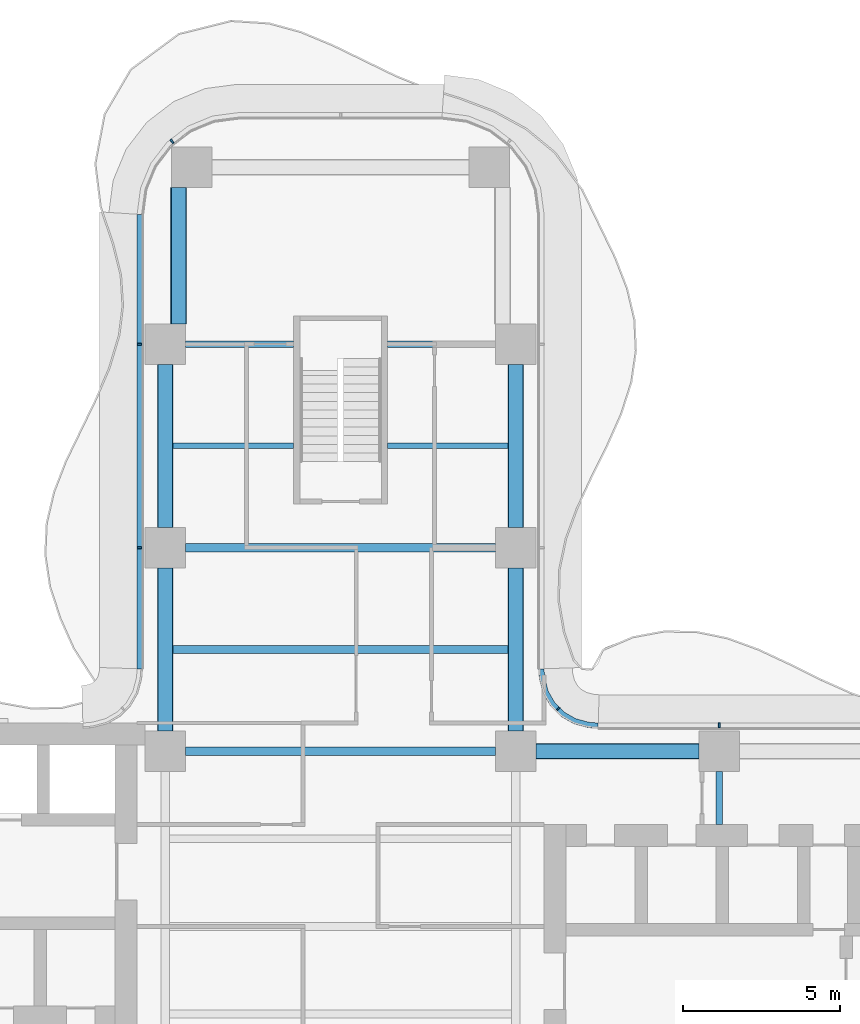
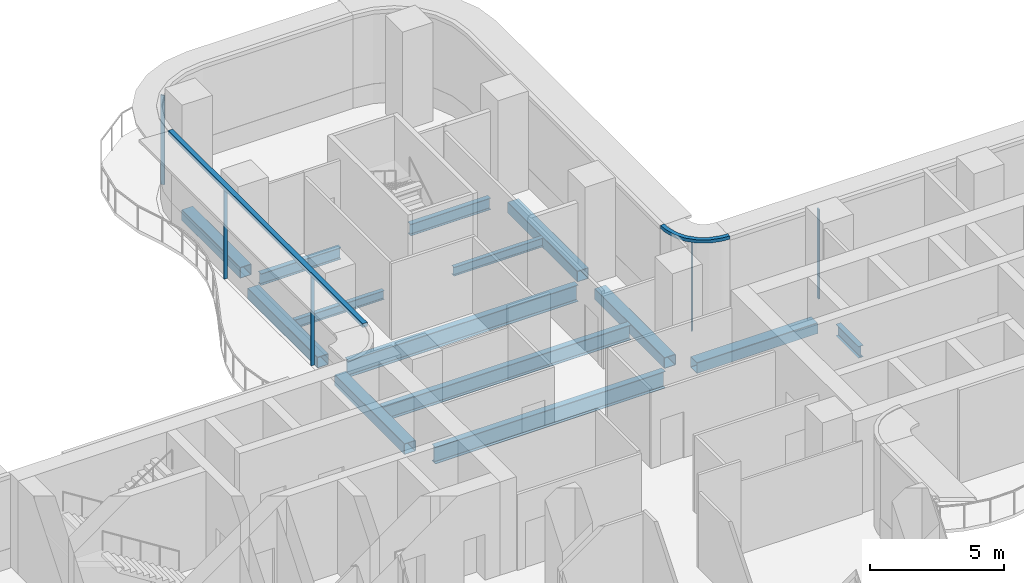
# One storey, part 9 of 21: 14 beams, 7 members, 4 elements without a shape of their own.
"""IFC4 building model written with IfcOpenShell, lengths in metres."""

from ifc_helpers import new_model, si_unit, direction, frame, origin, origin_2d, place, context, subcontext, project, spatial, polyline, rectangle, hollow_rectangle, i_section, outline, extrude, source, transform, mapped, material, layer, layer_set, material_profile, profile_set, type_object, element, aggregate, save


model = new_model("IFC4")

# Units and contexts
model_context = context("Model", 3, precision=1e-05, world=origin(), true_north=direction((0.0, 1.0)))
body_context = subcontext(model_context, "Body", "Model", "MODEL_VIEW")
ifc_project = project(units=[si_unit("LENGTHUNIT", "METRE"), si_unit("AREAUNIT", "SQUARE_METRE"), si_unit("VOLUMEUNIT", "CUBIC_METRE"), si_unit("PLANEANGLEUNIT", "RADIAN"), si_unit("MASSUNIT", "GRAM", prefix="KILO")], contexts=[model_context])

# Site, building, storey
site_placement = place(None, origin())
site = spatial("IfcSite", under=ifc_project, at=site_placement, CompositionType="ELEMENT")
building_placement = place(site_placement, origin())
building = spatial("IfcBuilding", under=site, at=building_placement, Name="Trellis Farm Tower", CompositionType="ELEMENT")
storey_placement = place(building_placement, frame((0.0, 0.0, 97.5)))
storey = spatial("IfcBuildingStorey", under=building, at=storey_placement, Name="L20", CompositionType="ELEMENT", Elevation=97.5)

# Beams
ifc_material_1 = material(Name="Steel S355", Category="steel")
ifc_material_profile_1 = material_profile(ifc_material_1, i_section(OverallWidth=0.209228515625, OverallDepth=0.533203125, WebThickness=0.010009765625, FlangeThickness=0.015625, FilletRadius=0.0126953125, at=origin_2d()), Name="UB 533x210x92")
ifc_profile_set_1 = profile_set([ifc_material_profile_1], Name="Steel S355")
beam_type_1 = type_object("IfcBeamType", Name="UB 533x210x92", PredefinedType="BEAM", material=ifc_profile_set_1)
shared_shape_1 = source(origin(), body_context, "Body", "SweptSolid", [
    extrude(i_section(OverallWidth=0.209228515625, OverallDepth=0.533203125, WebThickness=0.010009765625, FlangeThickness=0.015625, FilletRadius=0.0126953125, at=origin_2d()), origin(), (0.0, 0.0, 1.0), 3.449951171875),
])
for number, where, z_axis, x_axis, name in (
    (1, (-4.949951171875, 18.60009765625, -0.5166015625), (1.0, 0.0, 0.0), (0.0, 1.0, 0.0), "Girder"),
    (2, (1.5, 18.60009765625, -0.5166015625), (1.0, 0.0, 0.0), (0.0, 1.0, 0.0), "Girder"),
):
    element("IfcBeam", number, at=place(storey_placement, frame(where, z_axis=z_axis, x_axis=x_axis)), inside=storey, type_object=beam_type_1, Name=name, PredefinedType="BEAM", context=body_context, shape_type="MappedRepresentation", body=[
        mapped(shared_shape_1, transform((0.0, 0.0, 0.0))),
    ])
ifc_material_profile_2 = material_profile(ifc_material_1, hollow_rectangle(XDim=0.5, YDim=0.5, WallThickness=0.02001953125, InnerFilletRadius=0.02001953125, OuterFilletRadius=0.030029296875, at=origin_2d()), Name="SHS 500x500x20")
ifc_profile_set_2 = profile_set([ifc_material_profile_2], Name="Steel S355")
beam_type_2 = type_object("IfcBeamType", Name="SHS 500x500x20", PredefinedType="BEAM", material=ifc_profile_set_2)
shared_shape_2 = source(origin(), body_context, "Body", "SweptSolid", [
    extrude(hollow_rectangle(XDim=0.5, YDim=0.5, WallThickness=0.02001953125, InnerFilletRadius=0.02001953125, OuterFilletRadius=0.030029296875, at=origin_2d()), origin(), (0.0, 0.0, 1.0), 5.199951171875),
])
for number, where, z_axis, x_axis, name in (
    (3, (6.25, 5.60009765625, -0.5), (1.0, 0.0, 0.0), (0.0, 1.0, 0.0), "Girder"),
    (4, (-5.60009765625, 6.25, -0.5), (0.0, 1.0, 0.0), (-1.0, 0.0, 0.0), "Girder"),
    (5, (-5.60009765625, 12.75, -0.5), (0.0, 1.0, 0.0), (-1.0, 0.0, 0.0), "Girder"),
    (6, (5.60009765625, 6.25, -0.5), (0.0, 1.0, 0.0), (-1.0, 0.0, 0.0), "Girder"),
    (7, (5.60009765625, 12.75, -0.5), (0.0, 1.0, 0.0), (-1.0, 0.0, 0.0), "Girder"),
):
    element("IfcBeam", number, at=place(storey_placement, frame(where, z_axis=z_axis, x_axis=x_axis)), inside=storey, type_object=beam_type_2, Name=name, PredefinedType="BEAM", context=body_context, shape_type="MappedRepresentation", body=[
        mapped(shared_shape_2, transform((0.0, 0.0, 0.0))),
    ])
ifc_material_profile_3 = material_profile(ifc_material_1, i_section(OverallWidth=0.2666015625, OverallDepth=0.76220703125, WebThickness=0.014404296875, FlangeThickness=0.021484375, FilletRadius=0.0166015625, at=origin_2d()), Name="UB 762x267x173")
ifc_profile_set_3 = profile_set([ifc_material_profile_3], Name="Steel S355")
beam_type_3 = type_object("IfcBeamType", Name="UB 762x267x173", PredefinedType="BEAM", material=ifc_profile_set_3)
shared_shape_3 = source(origin(), body_context, "Body", "SweptSolid", [
    extrude(i_section(OverallWidth=0.2666015625, OverallDepth=0.76220703125, WebThickness=0.014404296875, FlangeThickness=0.021484375, FilletRadius=0.0166015625, at=origin_2d()), origin(), (0.0, 0.0, 1.0), 9.89990234375),
])
for number, where, z_axis, x_axis, name in (
    (8, (-4.949951171875, 5.60009765625, -0.631103515625), (1.0, 0.0, 0.0), (0.0, 1.0, 0.0), "Girder"),
    (9, (-4.949951171875, 12.10009765625, -0.631103515625), (1.0, 0.0, 0.0), (0.0, 1.0, 0.0), "Girder"),
):
    element("IfcBeam", number, at=place(storey_placement, frame(where, z_axis=z_axis, x_axis=x_axis)), inside=storey, type_object=beam_type_3, Name=name, PredefinedType="BEAM", context=body_context, shape_type="MappedRepresentation", body=[
        mapped(shared_shape_3, transform((0.0, 0.0, 0.0))),
    ])
shared_shape_4 = source(origin(), body_context, "Body", "SweptSolid", [
    extrude(hollow_rectangle(XDim=0.5, YDim=0.5, WallThickness=0.02001953125, InnerFilletRadius=0.02001953125, OuterFilletRadius=0.030029296875, at=origin_2d()), origin(), (0.0, 0.0, 1.0), 4.35009765625),
])
beam_1_placement = place(storey_placement, frame((-5.175048828125, 19.25, -0.5), z_axis=(0.0, 1.0, 0.0), x_axis=(-1.0, 0.0, 0.0)))
element("IfcBeam", 10, at=beam_1_placement, inside=storey, type_object=beam_type_2, Name="Girder", PredefinedType="BEAM", context=body_context, shape_type="MappedRepresentation", body=[
    mapped(shared_shape_4, transform((0.0, 0.0, 0.0))),
])
shared_shape_5 = source(origin(), body_context, "Body", "SweptSolid", [
    extrude(i_section(OverallWidth=0.209228515625, OverallDepth=0.533203125, WebThickness=0.010009765625, FlangeThickness=0.015625, FilletRadius=0.0126953125, at=origin_2d()), origin(), (0.0, 0.0, 1.0), 1.699951171875),
])
beam_2_placement = place(storey_placement, frame((12.10009765625, 3.25, -0.5166015625), z_axis=(0.0, 1.0, 0.0), x_axis=(-1.0, 0.0, 0.0)))
element("IfcBeam", 11, at=beam_2_placement, inside=storey, type_object=beam_type_1, Name="Girder", PredefinedType="BEAM", context=body_context, shape_type="MappedRepresentation", body=[
    mapped(shared_shape_5, transform((0.0, 0.0, 0.0))),
])
ifc_material_profile_4 = material_profile(ifc_material_1, i_section(OverallWidth=0.177978515625, OverallDepth=0.406494140625, WebThickness=0.0078125, FlangeThickness=0.0126953125, FilletRadius=0.01025390625, at=origin_2d()), Name="UB 406x178x60")
ifc_profile_set_4 = profile_set([ifc_material_profile_4], Name="Steel S355")
beam_type_4 = type_object("IfcBeamType", Name="UB 406x178x60 joist", PredefinedType="JOIST", material=ifc_profile_set_4)
shared_shape_6 = source(origin(), body_context, "Body", "SweptSolid", [
    extrude(i_section(OverallWidth=0.177978515625, OverallDepth=0.406494140625, WebThickness=0.0078125, FlangeThickness=0.0126953125, FilletRadius=0.01025390625, at=origin_2d()), origin(), (0.0, 0.0, 1.0), 3.85009765625),
])
for number, where, z_axis, x_axis, name in (
    (12, (-5.35009765625, 15.35009765625, -0.453125), (1.0, 0.0, 0.0), (0.0, 1.0, 0.0), "Floor beam"),
    (13, (1.5, 15.35009765625, -0.453125), (1.0, 0.0, 0.0), (0.0, 1.0, 0.0), "Floor beam"),
):
    element("IfcBeam", number, at=place(storey_placement, frame(where, z_axis=z_axis, x_axis=x_axis)), inside=storey, type_object=beam_type_4, Name=name, PredefinedType="JOIST", context=body_context, shape_type="MappedRepresentation", body=[
        mapped(shared_shape_6, transform((0.0, 0.0, 0.0))),
    ])
ifc_material_profile_5 = material_profile(ifc_material_1, i_section(OverallWidth=0.253662109375, OverallDepth=0.68359375, WebThickness=0.012451171875, FlangeThickness=0.021728515625, FilletRadius=0.01513671875, at=origin_2d()), Name="UB 686x254x140")
ifc_profile_set_5 = profile_set([ifc_material_profile_5], Name="Steel S355")
beam_type_5 = type_object("IfcBeamType", Name="UB 686x254x140 joist", PredefinedType="JOIST", material=ifc_profile_set_5)
shared_shape_7 = source(origin(), body_context, "Body", "SweptSolid", [
    extrude(i_section(OverallWidth=0.253662109375, OverallDepth=0.68359375, WebThickness=0.012451171875, FlangeThickness=0.021728515625, FilletRadius=0.01513671875, at=origin_2d()), origin(), (0.0, 0.0, 1.0), 10.7001953125),
])
beam_3_placement = place(storey_placement, frame((-5.35009765625, 8.85009765625, -0.591796875), z_axis=(1.0, 0.0, 0.0), x_axis=(0.0, 1.0, 0.0)))
element("IfcBeam", 14, at=beam_3_placement, inside=storey, type_object=beam_type_5, Name="Floor beam", PredefinedType="JOIST", context=body_context, shape_type="MappedRepresentation", body=[
    mapped(shared_shape_7, transform((0.0, 0.0, 0.0))),
])

# Curtain wall, member
ifc_material_2 = material(Name="Aluminium and glass curtain wall", Category="aluminium")
ifc_layer_1 = layer(ifc_material_2, 0.18994140625)
ifc_layer_set_1 = layer_set([ifc_layer_1], Name="RIBBON CURTAIN WALL CW1")
curtain_wall_type_1 = type_object("IfcCurtainWallType", Name="RIBBON CURTAIN WALL CW1", PredefinedType="NOTDEFINED", material=ifc_layer_set_1)
placement = place(storey_placement, origin())
curtain_wall_1 = element("IfcCurtainWall", 15, at=placement, inside=storey, type_object=curtain_wall_type_1, Name="CW1 009", PredefinedType="NOTDEFINED")
ifc_material_3 = material(Name="Aluminium extrusion 6063-T6", Category="aluminium")
ifc_material_profile_6 = material_profile(ifc_material_3, rectangle(XDim=0.06005859375, YDim=0.14990234375, at=origin_2d()), Name="MULLION 60x150")
ifc_profile_set_6 = profile_set([ifc_material_profile_6], Name="Aluminium extrusion 6063-T6")
member_type_1 = type_object("IfcMemberType", Name="CW1 MULLION 60x150", PredefinedType="MULLION", material=ifc_profile_set_6)
shared_shape_8 = source(origin(), body_context, "Body", "SweptSolid", [
    extrude(rectangle(XDim=0.06005859375, YDim=0.14990234375, at=origin_2d()), origin(), (0.0, 0.0, 1.0), 4.070068359375),
])
member_1_placement = place(storey_placement, frame((12.10009765625, 6.425048828125, 0.0), z_axis=(0.0, 0.0, 1.0), x_axis=(-1.0, 0.0, 0.0)))
member_1 = element("IfcMember", 16, at=member_1_placement, type_object=member_type_1, Name="MU1 009-02", PredefinedType="MULLION", context=body_context, shape_type="MappedRepresentation", body=[
    mapped(shared_shape_8, transform((0.0, 0.0, 0.0))),
])
aggregate(curtain_wall_1, [member_1])

curtain_wall_2 = element("IfcCurtainWall", 17, at=placement, inside=storey, type_object=curtain_wall_type_1, Name="CW1 011", PredefinedType="NOTDEFINED")
member_2_placement = place(storey_placement, frame((-5.385498046875, 25.078369140625, 0.0), z_axis=(0.0, 0.0, 1.0), x_axis=(-0.793353340291, -0.608761429009, 0.0)))
member_2 = element("IfcMember", 18, at=member_2_placement, type_object=member_type_1, Name="MU1 011-02", PredefinedType="MULLION", context=body_context, shape_type="MappedRepresentation", body=[
    mapped(shared_shape_8, transform((0.0, 0.0, 0.0))),
])
aggregate(curtain_wall_2, [member_2])

# Curtain wall, members
curtain_wall_3 = element("IfcCurtainWall", 19, at=placement, inside=storey, type_object=curtain_wall_type_1, Name="CW1 012", PredefinedType="NOTDEFINED")
member_3_placement = place(storey_placement, frame((-6.425048828125, 18.60009765625, 0.0), z_axis=(0.0, 0.0, 1.0), x_axis=(0.0, -1.0, 0.0)))
member_3 = element("IfcMember", 20, at=member_3_placement, type_object=member_type_1, Name="MU1 012-01", PredefinedType="MULLION", context=body_context, shape_type="MappedRepresentation", body=[
    mapped(shared_shape_8, transform((0.0, 0.0, 0.0))),
])
member_4_placement = place(storey_placement, frame((-6.425048828125, 12.10009765625, 0.0), z_axis=(0.0, 0.0, 1.0), x_axis=(0.0, -1.0, 0.0)))
member_4 = element("IfcMember", 21, at=member_4_placement, type_object=member_type_1, Name="MU1 012-02", PredefinedType="MULLION", context=body_context, shape_type="MappedRepresentation", body=[
    mapped(shared_shape_8, transform((0.0, 0.0, 0.0))),
])

ifc_layer_2 = layer(ifc_material_2, 0.166015625)
ifc_layer_set_2 = layer_set([ifc_layer_2], Name="WINTER GARDEN CURTAIN WALL CW3")
curtain_wall_type_2 = type_object("IfcCurtainWallType", Name="WINTER GARDEN CURTAIN WALL CW3", PredefinedType="NOTDEFINED", material=ifc_layer_set_2)
curtain_wall_4 = element("IfcCurtainWall", 22, at=placement, inside=storey, type_object=curtain_wall_type_2, Name="CW3 003", PredefinedType="NOTDEFINED")
ifc_material_profile_7 = material_profile(ifc_material_3, rectangle(XDim=0.050048828125, YDim=0.1201171875, at=origin_2d()), Name="MULLION 50x120")
ifc_profile_set_7 = profile_set([ifc_material_profile_7], Name="Aluminium extrusion 6063-T6")
member_type_2 = type_object("IfcMemberType", Name="CW3 MULLION 50x120", PredefinedType="MULLION", material=ifc_profile_set_7)
shared_shape_9 = source(origin(), body_context, "Body", "SweptSolid", [
    extrude(rectangle(XDim=0.050048828125, YDim=0.1201171875, at=origin_2d()), origin(), (0.0, 0.0, 1.0), 4.10009765625),
])
member_5_placement = place(storey_placement, frame((6.953125, 6.953125, 0.0), z_axis=(0.0, 0.0, 1.0), x_axis=(-0.707106781187, 0.707106781187, 0.0)))
member_5 = element("IfcMember", 23, at=member_5_placement, type_object=member_type_2, Name="MU3 003-01", PredefinedType="MULLION", context=body_context, shape_type="MappedRepresentation", body=[
    mapped(shared_shape_9, transform((0.0, 0.0, 0.0))),
])
ifc_layer_3 = layer(ifc_material_3, 0.169921875)
ifc_layer_set_3 = layer_set([ifc_layer_3], Name="Aluminium extrusion 6063-T6")
member_type_3 = type_object("IfcMemberType", Name="CW3 TRANSOM 170x150", PredefinedType="USERDEFINED", material=ifc_layer_set_3)
shared_shape_10 = source(origin(), body_context, "Body", "SweptSolid", [
    extrude(outline(polyline([(8.2314453125, 6.5), (8.01953125, 6.513916015625), (7.91552734375, 6.527587890625), (7.508544921875, 6.63671875), (7.144287109375, 6.846923828125), (6.846923828125, 7.144287109375), (6.63671875, 7.508544921875), (6.527587890625, 7.91552734375), (6.513916015625, 8.01953125), (6.5, 8.2314453125), (6.330078125, 8.225830078125), (6.3447265625, 8.0029296875), (6.360595703125, 7.88232421875), (6.478271484375, 7.44287109375), (6.7109375, 7.0400390625), (7.0400390625, 6.7109375), (7.44287109375, 6.478271484375), (7.88232421875, 6.360595703125), (8.0029296875, 6.3447265625), (8.225830078125, 6.330078125), (8.2314453125, 6.5)])), origin(), (0.0, 0.0, 1.0), 0.14990234375),
])
member_6_placement = place(storey_placement, frame((0.0, 0.0, 4.10009765625)))
member_6 = element("IfcMember", 24, at=member_6_placement, type_object=member_type_3, Name="TR3 003", ObjectType="TRANSOM", PredefinedType="USERDEFINED", context=body_context, shape_type="MappedRepresentation", body=[
    mapped(shared_shape_10, transform((0.0, 0.0, 0.0))),
])
aggregate(curtain_wall_4, [member_5, member_6])

# Member
ifc_layer_4 = layer(ifc_material_3, 0.199951171875)
ifc_layer_set_4 = layer_set([ifc_layer_4], Name="Aluminium extrusion 6063-T6")
member_type_4 = type_object("IfcMemberType", Name="CW1 TRANSOM 200x180", PredefinedType="USERDEFINED", material=ifc_layer_set_4)
shared_shape_11 = source(origin(), body_context, "Body", "SweptSolid", [
    extrude(outline(polyline([(-6.5, 22.75), (-6.5, 8.2314453125), (-6.300048828125, 8.224853515625), (-6.300048828125, 22.73681640625), (-6.5, 22.75)])), origin(), (0.0, 0.0, 1.0), 0.179931640625),
])
member_7_placement = place(storey_placement, frame((0.0, 0.0, 4.070068359375)))
member_7 = element("IfcMember", 25, at=member_7_placement, type_object=member_type_4, Name="TR1 012", ObjectType="TRANSOM", PredefinedType="USERDEFINED", context=body_context, shape_type="MappedRepresentation", body=[
    mapped(shared_shape_11, transform((0.0, 0.0, 0.0))),
])

aggregate(curtain_wall_3, [member_3, member_4, member_7])

save(model, "model.ifc")
